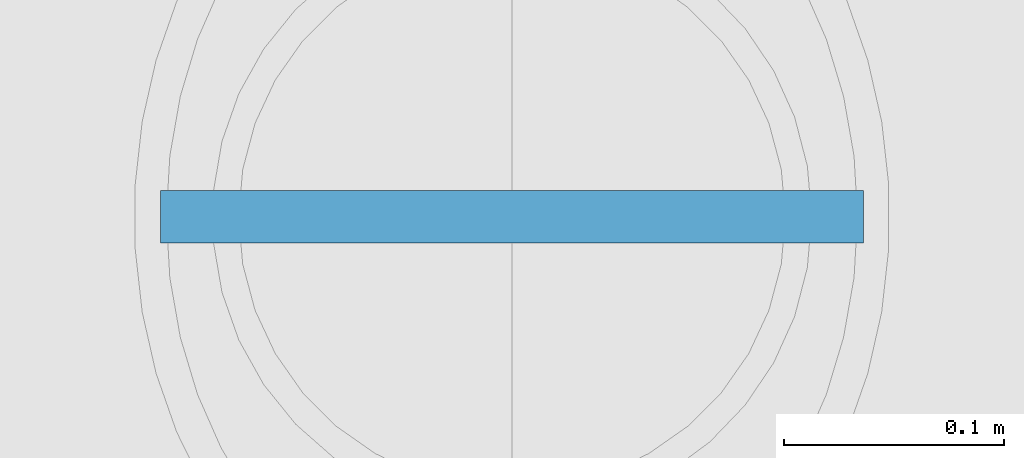
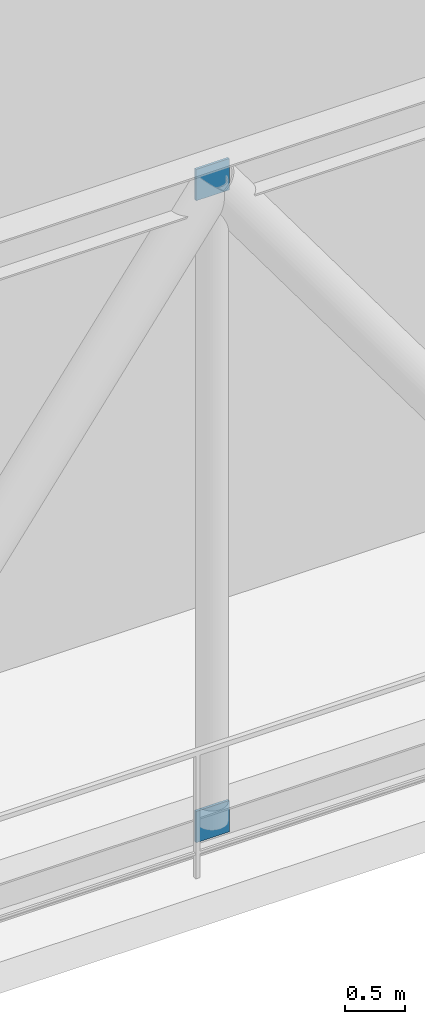
# One storey, part 13 of 20: 2 discrete accessories.
"""IFC4 building model written with IfcOpenShell, lengths in metres."""

from ifc_helpers import new_model, si_unit, direction, frame, origin, origin_2d, place, context, subcontext, project, spatial, rectangle, extrude, material, layer, layer_set, type_object, element, save


model = new_model("IFC4")

# Units and contexts
model_context = context("Model", 3, precision=1e-05, world=origin(), true_north=direction((0.0, 1.0)))
body_context = subcontext(model_context, "Body", "Model", "MODEL_VIEW")
ifc_project = project(units=[si_unit("LENGTHUNIT", "METRE"), si_unit("AREAUNIT", "SQUARE_METRE"), si_unit("VOLUMEUNIT", "CUBIC_METRE"), si_unit("PLANEANGLEUNIT", "RADIAN"), si_unit("MASSUNIT", "GRAM", prefix="KILO")], contexts=[model_context])

# Site, building, storey
site_placement = place(None, origin())
site = spatial("IfcSite", under=ifc_project, at=site_placement, CompositionType="ELEMENT")
building_placement = place(site_placement, origin())
building = spatial("IfcBuilding", under=site, at=building_placement, Name="Svetorya Sky Lyceum", CompositionType="ELEMENT")
storey_placement = place(building_placement, frame((0.0, 0.0, 195.89990234375)))
storey = spatial("IfcBuildingStorey", under=building, at=storey_placement, Name="L49", CompositionType="ELEMENT", Elevation=195.89990234375)

# Discrete accessories
ifc_material = material(Name="Steel S355", Category="steel")
ifc_layer = layer(ifc_material, 0.02392578125)
ifc_layer_set = layer_set([ifc_layer], Name="Steel S355")
discrete_accessory_type = type_object("IfcDiscreteAccessoryType", Name="ACC-GUSSET-24", PredefinedType="BRACKET", material=ifc_layer_set)
for number, where, z_axis, x_axis, name in (
    (1, (48.02490234375, 7.35009765625, 6.5830078125), (0.0, 0.0, 1.0), (1.0, 0.0, 0.0), "L49 Brace Node Gusset Plate 141"),
    (2, (48.02490234375, 7.35009765625, 0.037109375), (0.0, 0.0, 1.0), (1.0, 0.0, 0.0), "L49 Brace Node Gusset Plate 142"),
):
    element("IfcDiscreteAccessory", number, at=place(storey_placement, frame(where, z_axis=z_axis, x_axis=x_axis)), inside=storey, type_object=discrete_accessory_type, Name=name, PredefinedType="BRACKET", context=body_context, shape_type="SweptSolid", body=[
        extrude(rectangle(XDim=0.320068359375, YDim=0.02392578125, at=origin_2d()), origin(), (0.0, 0.0, 1.0), 0.320068359375),
    ])

save(model, "model.ifc")
